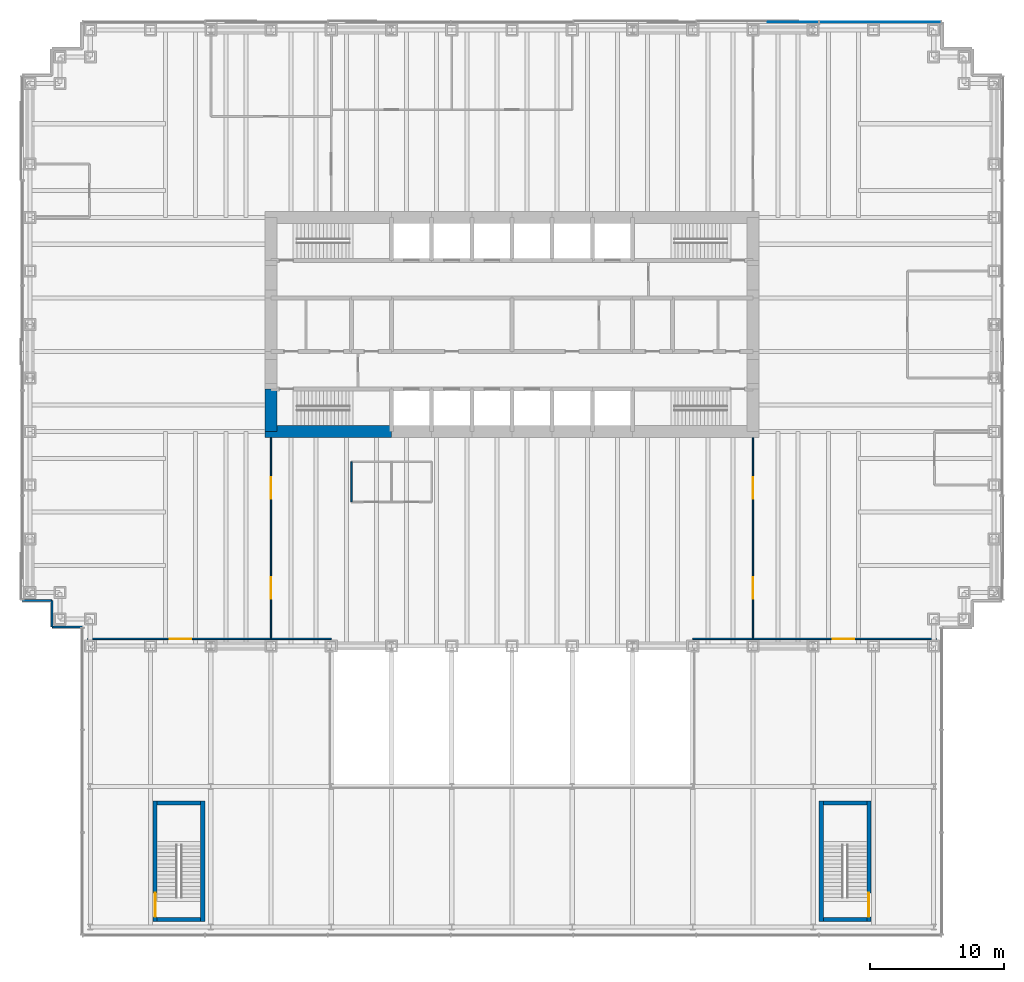
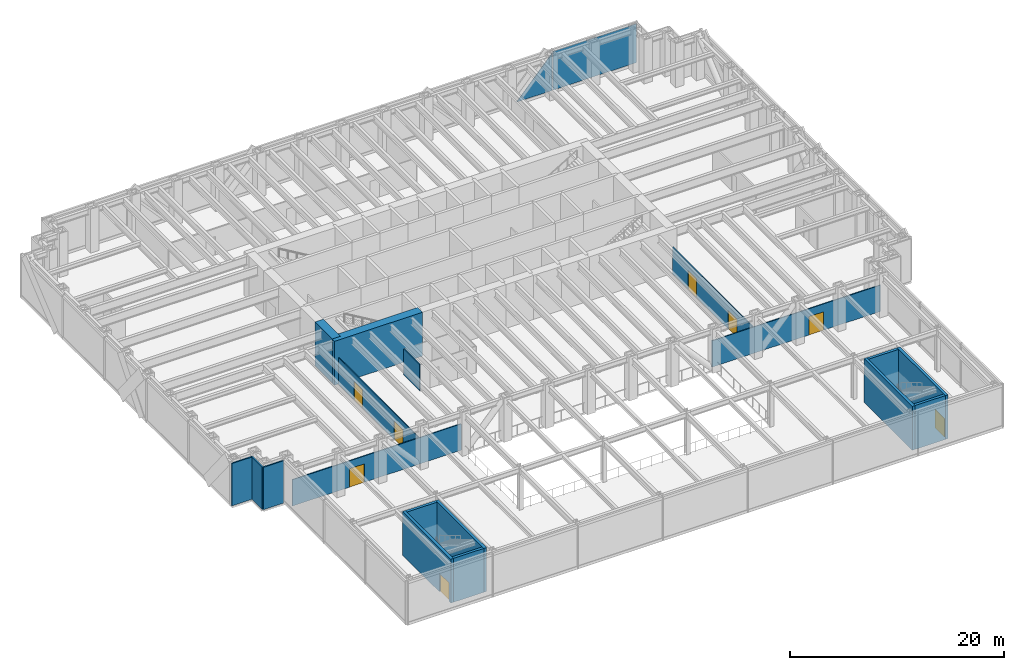
# One storey, part 12 of 17: 18 walls, 8 doors, 2 plates, 8 openings, 1 element without a shape of its own.
"""IFC4 building model written with IfcOpenShell, lengths in metres."""

from ifc_helpers import new_model, si_unit, direction, frame, frame_2d, origin, place, context, subcontext, project, spatial, polyline, rectangle, outline, extrude, material, layer, layer_set, type_object, element, fill, aggregate, save


model = new_model("IFC4")

# Units and contexts
model_context = context("Model", 3, precision=1e-05, world=origin(), true_north=direction((0.0, 1.0)))
body_context = subcontext(model_context, "Body", "Model", "MODEL_VIEW")
ifc_project = project(units=[si_unit("LENGTHUNIT", "METRE"), si_unit("AREAUNIT", "SQUARE_METRE"), si_unit("VOLUMEUNIT", "CUBIC_METRE"), si_unit("PLANEANGLEUNIT", "RADIAN"), si_unit("MASSUNIT", "GRAM", prefix="KILO")], contexts=[model_context])

# Site, building, storey
site_placement = place(None, origin())
site = spatial("IfcSite", under=ifc_project, at=site_placement, CompositionType="ELEMENT")
building_placement = place(site_placement, origin())
building = spatial("IfcBuilding", under=site, at=building_placement, Name="Rheinbord Bourse Tower", CompositionType="ELEMENT")
storey_placement = place(building_placement, frame((0.0, 0.0, 18.0)))
storey = spatial("IfcBuildingStorey", under=building, at=storey_placement, Name="L03", CompositionType="ELEMENT", Elevation=18.0)

# Curtain wall, plates
ifc_material_1 = material(Name="Dark glass and black aluminium", Category="aluminium")
curtain_wall_type = type_object("IfcCurtainWallType", Name="CW4 DARK GLASS CURTAIN WALL", PredefinedType="USERDEFINED", material=ifc_material_1)
curtain_wall_placement = place(storey_placement, origin())
curtain_wall = element("IfcCurtainWall", 1, at=curtain_wall_placement, inside=storey, type_object=curtain_wall_type, Name="Curtain wall CW4 N L03", ObjectType="UNITISED CURTAIN WALL", PredefinedType="USERDEFINED")
ifc_material_2 = material(Name="Dark tinted triple insulating glass", Category="glass")
ifc_layer_1 = layer(ifc_material_2, 0.068115234375)
ifc_layer_set_1 = layer_set([ifc_layer_1], Name="CW4 DARK GLASS PANEL")
plate_type = type_object("IfcPlateType", Name="CW4 DARK GLASS PANEL", PredefinedType="CURTAIN_PANEL", material=ifc_layer_set_1)
plate_1_placement = place(storey_placement, frame((58.97412109375, 46.63427734375, 0.300048828125), z_axis=(0.0, -1.0, 0.0), x_axis=(1.0, 0.0, 0.0)))
plate_1 = element("IfcPlate", 2, at=plate_1_placement, type_object=plate_type, Name="CW4 glass facet 1", PredefinedType="CURTAIN_PANEL", context=body_context, shape_type="SweptSolid", body=[
    extrude(outline(polyline([(0.0, 0.0), (9.035888671875, 0.0), (9.035888671875, 4.39990234375), (0.06982421875, 4.39990234375), (0.0, 4.322021484375), (0.0, 0.0)])), origin(), (0.0, 0.0, 1.0), 0.068115234375),
])
plate_2_placement = place(storey_placement, frame((58.884033203125, 46.63427734375, 0.300048828125), z_axis=(0.0, -1.0, 0.0), x_axis=(0.0, 0.0, 1.0)))
plate_2 = element("IfcPlate", 3, at=plate_2_placement, type_object=plate_type, Name="CW4 glass facet 1", PredefinedType="CURTAIN_PANEL", context=body_context, shape_type="SweptSolid", body=[
    extrude(outline(polyline([(0.0, 0.0), (4.221923828125, 0.0), (0.0, 3.800048828125), (0.0, 0.0)])), origin(), (0.0, 0.0, 1.0), 0.068115234375),
])
aggregate(curtain_wall, [plate_1, plate_2])

# Walls
ifc_material_3 = material(Name="Concrete C50/60", Category="concrete")
ifc_layer_2 = layer(ifc_material_3, 0.89990234375)
ifc_layer_set_2 = layer_set([ifc_layer_2], Name="CORE WALL 900")
wall_type_1 = type_object("IfcWallType", Name="CORE WALL 900", PredefinedType="SHEAR", material=ifc_layer_set_2)
wall_1_placement = place(storey_placement, frame((17.550048828125, 16.0, 0.0), z_axis=(0.0, 0.0, 1.0), x_axis=(1.0, 0.0, 0.0)))
element("IfcWall", 4, at=wall_1_placement, inside=storey, type_object=wall_type_1, Name="Core wall S1 L03", PredefinedType="SHEAR", context=body_context, shape_type="SweptSolid", body=[
    extrude(rectangle(XDim=9.449951171875, YDim=0.89990234375, at=frame_2d((4.72509765625, 0.0))), origin(), (0.0, 0.0, 1.0), 5.0),
])
wall_2_placement = place(storey_placement, frame((18.0, 19.199951171875, 0.0), z_axis=(0.0, 0.0, 1.0), x_axis=(0.0, -1.0, 0.0)))
element("IfcWall", 5, at=wall_2_placement, inside=storey, type_object=wall_type_1, Name="Core wall W5 L03", PredefinedType="SHEAR", context=body_context, shape_type="SweptSolid", body=[
    extrude(rectangle(XDim=3.199951171875, YDim=0.89990234375, at=frame_2d((1.60009765625, 0.0))), origin(), (0.0, 0.0, 1.0), 5.0),
])
ifc_material_4 = material(Name="Black metal rainscreen panel", Category="aluminium")
ifc_layer_3 = layer(ifc_material_4, 0.14990234375)
ifc_layer_set_3 = layer_set([ifc_layer_3], Name="CORNER PIER CLADDING 150")
wall_type_2 = type_object("IfcWallType", Name="CORNER PIER CLADDING 150", PredefinedType="ELEMENTEDWALL", material=ifc_layer_set_3)
wall_3_placement = place(storey_placement, frame((-0.60009765625, 3.39990234375, 0.0), z_axis=(0.0, 0.0, 1.0), x_axis=(1.0, 0.0, 0.0)))
element("IfcWall", 6, at=wall_3_placement, inside=storey, type_object=wall_type_2, Name="Corner pier cladding L03 17", PredefinedType="ELEMENTEDWALL", context=body_context, shape_type="SweptSolid", body=[
    extrude(rectangle(XDim=2.25, YDim=0.14990234375, at=frame_2d((1.125, 0.0))), origin(), (0.0, 0.0, 1.0), 4.820068359375),
])
wall_4_placement = place(storey_placement, frame((1.64990234375, 3.39990234375, 0.0), z_axis=(0.0, 0.0, 1.0), x_axis=(0.0, -1.0, 0.0)))
element("IfcWall", 7, at=wall_4_placement, inside=storey, type_object=wall_type_2, Name="Corner pier cladding L03 18", PredefinedType="ELEMENTEDWALL", context=body_context, shape_type="SweptSolid", body=[
    extrude(rectangle(XDim=2.0, YDim=0.14990234375, at=frame_2d((1.0, 0.0))), origin(), (0.0, 0.0, 1.0), 4.820068359375),
])
wall_5_placement = place(storey_placement, frame((1.64990234375, 1.39990234375, 0.0), z_axis=(0.0, 0.0, 1.0), x_axis=(1.0, 0.0, 0.0)))
element("IfcWall", 8, at=wall_5_placement, inside=storey, type_object=wall_type_2, Name="Corner pier cladding L03 19", PredefinedType="ELEMENTEDWALL", context=body_context, shape_type="SweptSolid", body=[
    extrude(rectangle(XDim=2.25, YDim=0.14990234375, at=frame_2d((1.125, 0.0))), origin(), (0.0, 0.0, 1.0), 4.820068359375),
])

# Wall, openings, doors
ifc_material_5 = material(Name="Toughened laminated glass partition", Category="glass")
ifc_layer_4 = layer(ifc_material_5, 0.10009765625)
ifc_layer_set_4 = layer_set([ifc_layer_4], Name="GLAZED PARTITION 100")
wall_type_3 = type_object("IfcWallType", Name="GLAZED PARTITION 100", PredefinedType="PARTITIONING", material=ifc_layer_set_4)
wall_6_placement = place(storey_placement, frame((18.0, 0.574951171875, 0.0), z_axis=(0.0, 0.0, 1.0), x_axis=(0.0, 1.0, 0.0)))
wall_6 = element("IfcWall", 9, at=wall_6_placement, inside=storey, type_object=wall_type_3, Name="Partition L03-13", PredefinedType="PARTITIONING", context=body_context, shape_type="SweptSolid", body=[
    extrude(rectangle(XDim=14.97509765625, YDim=0.10009765625, at=frame_2d((7.487548828125, 0.0))), origin(), (0.0, 0.0, 1.0), 3.0),
])
opening_1_placement = place(wall_6_placement, frame((2.944091796875, 0.0, 0.0)))
opening_1 = element("IfcOpeningElement", 10, at=opening_1_placement, cuts=wall_6, Name="Opening 03D09", PredefinedType="OPENING", context=body_context, shape_type="SweptSolid", body=[
    extrude(rectangle(XDim=1.60009765625, YDim=2.10009765625, at=frame_2d((0.800048828125, 1.050048828125))), frame((0.0, 0.06005859375, 0.0), z_axis=(0.0, -1.0, 0.0), x_axis=(1.0, 0.0, 0.0)), (0.0, 0.0, 1.0), 0.1201171875),
])
opening_2_placement = place(wall_6_placement, frame((10.430908203125, 0.0, 0.0)))
opening_2 = element("IfcOpeningElement", 11, at=opening_2_placement, cuts=wall_6, Name="Opening 03D10", PredefinedType="OPENING", context=body_context, shape_type="SweptSolid", body=[
    extrude(rectangle(XDim=1.60009765625, YDim=2.10009765625, at=frame_2d((0.800048828125, 1.050048828125))), frame((0.0, 0.06005859375, 0.0), z_axis=(0.0, -1.0, 0.0), x_axis=(1.0, 0.0, 0.0)), (0.0, 0.0, 1.0), 0.1201171875),
])
ifc_material_6 = material(Name="Timber door", Category="wood")
door_type_1 = type_object("IfcDoorType", Name="DOUBLE ROOM DOOR 1600", OperationType="DOUBLE_DOOR_DOUBLE_SWING", PredefinedType="DOOR", material=ifc_material_6)
door_1_placement = place(opening_1_placement, origin())
door_1 = element("IfcDoor", 12, at=door_1_placement, inside=storey, type_object=door_type_1, Name="Open area door L03", OperationType="SINGLE_SWING_LEFT", OverallHeight=2.10009765625, OverallWidth=1.60009765625, PredefinedType="DOOR", context=body_context, shape_type="SweptSolid", body=[
    extrude(rectangle(XDim=1.60009765625, YDim=2.10009765625, at=frame_2d((0.800048828125, 1.050048828125))), frame((0.0, 0.02490234375, 0.0), z_axis=(0.0, -1.0, 0.0), x_axis=(1.0, 0.0, 0.0)), (0.0, 0.0, 1.0), 0.050048828125),
])
fill(opening_1, door_1)
door_2_placement = place(opening_2_placement, origin())
door_2 = element("IfcDoor", 13, at=door_2_placement, inside=storey, type_object=door_type_1, Name="Open area door L03", OperationType="SINGLE_SWING_LEFT", OverallHeight=2.10009765625, OverallWidth=1.60009765625, PredefinedType="DOOR", context=body_context, shape_type="SweptSolid", body=[
    extrude(rectangle(XDim=1.60009765625, YDim=2.10009765625, at=frame_2d((0.800048828125, 1.050048828125))), frame((0.0, 0.02490234375, 0.0), z_axis=(0.0, -1.0, 0.0), x_axis=(1.0, 0.0, 0.0)), (0.0, 0.0, 1.0), 0.050048828125),
])
fill(opening_2, door_2)

# Wall
wall_7_placement = place(storey_placement, frame((24.0, 10.75, 0.0), z_axis=(0.0, 0.0, 1.0), x_axis=(0.0, 1.0, 0.0)))
element("IfcWall", 14, at=wall_7_placement, inside=storey, type_object=wall_type_3, Name="Partition L03-16", PredefinedType="PARTITIONING", context=body_context, shape_type="SweptSolid", body=[
    extrude(rectangle(XDim=3.0, YDim=0.10009765625, at=frame_2d((1.5, 0.0))), origin(), (0.0, 0.0, 1.0), 3.0),
])

# Wall, openings, doors
wall_8_placement = place(storey_placement, frame((54.0, 0.574951171875, 0.0), z_axis=(0.0, 0.0, 1.0), x_axis=(0.0, 1.0, 0.0)))
wall_8 = element("IfcWall", 15, at=wall_8_placement, inside=storey, type_object=wall_type_3, Name="Partition L03-21", PredefinedType="PARTITIONING", context=body_context, shape_type="SweptSolid", body=[
    extrude(rectangle(XDim=14.97509765625, YDim=0.10009765625, at=frame_2d((7.487548828125, 0.0))), origin(), (0.0, 0.0, 1.0), 3.0),
])
opening_3_placement = place(wall_8_placement, frame((2.944091796875, 0.0, 0.0)))
opening_3 = element("IfcOpeningElement", 16, at=opening_3_placement, cuts=wall_8, Name="Opening 03D12", PredefinedType="OPENING", context=body_context, shape_type="SweptSolid", body=[
    extrude(rectangle(XDim=1.60009765625, YDim=2.10009765625, at=frame_2d((0.800048828125, 1.050048828125))), frame((0.0, 0.06005859375, 0.0), z_axis=(0.0, -1.0, 0.0), x_axis=(1.0, 0.0, 0.0)), (0.0, 0.0, 1.0), 0.1201171875),
])
opening_4_placement = place(wall_8_placement, frame((10.430908203125, 0.0, 0.0)))
opening_4 = element("IfcOpeningElement", 17, at=opening_4_placement, cuts=wall_8, Name="Opening 03D13", PredefinedType="OPENING", context=body_context, shape_type="SweptSolid", body=[
    extrude(rectangle(XDim=1.60009765625, YDim=2.10009765625, at=frame_2d((0.800048828125, 1.050048828125))), frame((0.0, 0.06005859375, 0.0), z_axis=(0.0, -1.0, 0.0), x_axis=(1.0, 0.0, 0.0)), (0.0, 0.0, 1.0), 0.1201171875),
])
door_3_placement = place(opening_3_placement, origin())
door_3 = element("IfcDoor", 18, at=door_3_placement, inside=storey, type_object=door_type_1, Name="Open area door L03", OperationType="SINGLE_SWING_LEFT", OverallHeight=2.10009765625, OverallWidth=1.60009765625, PredefinedType="DOOR", context=body_context, shape_type="SweptSolid", body=[
    extrude(rectangle(XDim=1.60009765625, YDim=2.10009765625, at=frame_2d((0.800048828125, 1.050048828125))), frame((0.0, 0.02490234375, 0.0), z_axis=(0.0, -1.0, 0.0), x_axis=(1.0, 0.0, 0.0)), (0.0, 0.0, 1.0), 0.050048828125),
])
fill(opening_3, door_3)
door_4_placement = place(opening_4_placement, origin())
door_4 = element("IfcDoor", 19, at=door_4_placement, inside=storey, type_object=door_type_1, Name="Open area door L03", OperationType="SINGLE_SWING_LEFT", OverallHeight=2.10009765625, OverallWidth=1.60009765625, PredefinedType="DOOR", context=body_context, shape_type="SweptSolid", body=[
    extrude(rectangle(XDim=1.60009765625, YDim=2.10009765625, at=frame_2d((0.800048828125, 1.050048828125))), frame((0.0, 0.02490234375, 0.0), z_axis=(0.0, -1.0, 0.0), x_axis=(1.0, 0.0, 0.0)), (0.0, 0.0, 1.0), 0.050048828125),
])
fill(opening_4, door_4)

# Wall, opening, door
wall_9_placement = place(storey_placement, frame((4.300048828125, 0.52490234375, 0.0), z_axis=(0.0, 0.0, 1.0), x_axis=(1.0, 0.0, 0.0)))
wall_9 = element("IfcWall", 20, at=wall_9_placement, inside=storey, type_object=wall_type_3, Name="Podium screen L03-1", PredefinedType="PARTITIONING", context=body_context, shape_type="SweptSolid", body=[
    extrude(rectangle(XDim=18.199951171875, YDim=0.10009765625, at=frame_2d((9.10009765625, 0.0))), origin(), (0.0, 0.0, 1.0), 3.0),
])
opening_5_placement = place(wall_9_placement, frame((6.14990234375, 0.0, 0.0)))
opening_5 = element("IfcOpeningElement", 21, at=opening_5_placement, cuts=wall_9, Name="Opening 03D16", PredefinedType="OPENING", context=body_context, shape_type="SweptSolid", body=[
    extrude(rectangle(XDim=1.60009765625, YDim=2.10009765625, at=frame_2d((0.800048828125, 1.050048828125))), frame((0.0, 0.06005859375, 0.0), z_axis=(0.0, -1.0, 0.0), x_axis=(1.0, 0.0, 0.0)), (0.0, 0.0, 1.0), 0.1201171875),
])
door_5_placement = place(opening_5_placement, origin())
door_5 = element("IfcDoor", 22, at=door_5_placement, inside=storey, type_object=door_type_1, Name="Podium screen door L03", OperationType="SINGLE_SWING_LEFT", OverallHeight=2.10009765625, OverallWidth=1.60009765625, PredefinedType="DOOR", context=body_context, shape_type="SweptSolid", body=[
    extrude(rectangle(XDim=1.60009765625, YDim=2.10009765625, at=frame_2d((0.800048828125, 1.050048828125))), frame((0.0, 0.02490234375, 0.0), z_axis=(0.0, -1.0, 0.0), x_axis=(1.0, 0.0, 0.0)), (0.0, 0.0, 1.0), 0.050048828125),
])
fill(opening_5, door_5)

wall_10_placement = place(storey_placement, frame((49.5, 0.52490234375, 0.0), z_axis=(0.0, 0.0, 1.0), x_axis=(1.0, 0.0, 0.0)))
wall_10 = element("IfcWall", 23, at=wall_10_placement, inside=storey, type_object=wall_type_3, Name="Podium screen L03-2", PredefinedType="PARTITIONING", context=body_context, shape_type="SweptSolid", body=[
    extrude(rectangle(XDim=18.199951171875, YDim=0.10009765625, at=frame_2d((9.10009765625, 0.0))), origin(), (0.0, 0.0, 1.0), 3.0),
])
opening_6_placement = place(wall_10_placement, frame((10.449951171875, 0.0, 0.0)))
opening_6 = element("IfcOpeningElement", 24, at=opening_6_placement, cuts=wall_10, Name="Opening 03D17", PredefinedType="OPENING", context=body_context, shape_type="SweptSolid", body=[
    extrude(rectangle(XDim=1.60009765625, YDim=2.10009765625, at=frame_2d((0.800048828125, 1.050048828125))), frame((0.0, 0.06005859375, 0.0), z_axis=(0.0, -1.0, 0.0), x_axis=(1.0, 0.0, 0.0)), (0.0, 0.0, 1.0), 0.1201171875),
])
door_6_placement = place(opening_6_placement, origin())
door_6 = element("IfcDoor", 25, at=door_6_placement, inside=storey, type_object=door_type_1, Name="Podium screen door L03", OperationType="SINGLE_SWING_LEFT", OverallHeight=2.10009765625, OverallWidth=1.60009765625, PredefinedType="DOOR", context=body_context, shape_type="SweptSolid", body=[
    extrude(rectangle(XDim=1.60009765625, YDim=2.10009765625, at=frame_2d((0.800048828125, 1.050048828125))), frame((0.0, 0.02490234375, 0.0), z_axis=(0.0, -1.0, 0.0), x_axis=(1.0, 0.0, 0.0)), (0.0, 0.0, 1.0), 0.050048828125),
])
fill(opening_6, door_6)

ifc_material_7 = material(Name="Concrete C50/60", Category="concrete")
ifc_layer_5 = layer(ifc_material_7, 0.300048828125)
ifc_layer_set_5 = layer_set([ifc_layer_5], Name="PODIUM STAIR WALL 300")
wall_type_4 = type_object("IfcWallType", Name="PODIUM STAIR WALL 300", PredefinedType="SOLIDWALL", material=ifc_layer_set_5)
wall_11_placement = place(storey_placement, frame((9.35009765625, -20.60009765625, 0.0), z_axis=(0.0, 0.0, 1.0), x_axis=(0.0, 1.0, 0.0)))
wall_11 = element("IfcWall", 26, at=wall_11_placement, inside=storey, type_object=wall_type_4, Name="Stair wall ST5 W L03", PredefinedType="SOLIDWALL", context=body_context, shape_type="SweptSolid", body=[
    extrude(rectangle(XDim=9.0, YDim=0.300048828125, at=frame_2d((4.5, 0.0))), origin(), (0.0, 0.0, 1.0), 5.0),
])
opening_7_placement = place(wall_11_placement, frame((0.35009765625, 0.0, 0.0)))
opening_7 = element("IfcOpeningElement", 27, at=opening_7_placement, cuts=wall_11, Name="Opening 0351", PredefinedType="OPENING", context=body_context, shape_type="SweptSolid", body=[
    extrude(rectangle(XDim=1.800048828125, YDim=2.10009765625, at=frame_2d((0.89990234375, 1.050048828125))), frame((0.0, 0.159912109375, 0.0), z_axis=(0.0, -1.0, 0.0), x_axis=(1.0, 0.0, 0.0)), (0.0, 0.0, 1.0), 0.320068359375),
])
ifc_material_8 = material(Name="Steel door", Category="steel")
door_type_2 = type_object("IfcDoorType", Name="DOOR 1800 EI30 DOUBLE", OperationType="DOUBLE_DOOR_DOUBLE_SWING", PredefinedType="DOOR", material=ifc_material_8)
door_7_placement = place(opening_7_placement, origin())
door_7 = element("IfcDoor", 28, at=door_7_placement, inside=storey, type_object=door_type_2, Name="Stair door ST5 L03", OperationType="SINGLE_SWING_LEFT", OverallHeight=2.10009765625, OverallWidth=1.800048828125, PredefinedType="DOOR", context=body_context, shape_type="SweptSolid", body=[
    extrude(rectangle(XDim=1.800048828125, YDim=2.10009765625, at=frame_2d((0.89990234375, 1.050048828125))), frame((0.0, 0.02490234375, 0.0), z_axis=(0.0, -1.0, 0.0), x_axis=(1.0, 0.0, 0.0)), (0.0, 0.0, 1.0), 0.050048828125),
])
fill(opening_7, door_7)

# Walls
wall_12_placement = place(storey_placement, frame((12.89990234375, -20.60009765625, 0.0), z_axis=(0.0, 0.0, 1.0), x_axis=(0.0, 1.0, 0.0)))
element("IfcWall", 29, at=wall_12_placement, inside=storey, type_object=wall_type_4, Name="Stair wall ST5 E L03", PredefinedType="SOLIDWALL", context=body_context, shape_type="SweptSolid", body=[
    extrude(rectangle(XDim=9.0, YDim=0.300048828125, at=frame_2d((4.5, 0.0))), origin(), (0.0, 0.0, 1.0), 5.0),
])
for number, where, z_axis, x_axis, name in (
    (30, (9.5, -20.449951171875, 0.0), (0.0, 0.0, 1.0), (1.0, 0.0, 0.0), "Stair wall ST5 S L03"),
    (31, (9.5, -11.75, 0.0), (0.0, 0.0, 1.0), (1.0, 0.0, 0.0), "Stair wall ST5 N L03"),
):
    element("IfcWall", number, at=place(storey_placement, frame(where, z_axis=z_axis, x_axis=x_axis)), inside=storey, type_object=wall_type_4, Name=name, PredefinedType="SOLIDWALL", context=body_context, shape_type="SweptSolid", body=[
        extrude(rectangle(XDim=3.25, YDim=0.300048828125, at=frame_2d((1.625, 0.0))), origin(), (0.0, 0.0, 1.0), 5.0),
    ])
wall_13_placement = place(storey_placement, frame((59.10009765625, -20.60009765625, 0.0), z_axis=(0.0, 0.0, 1.0), x_axis=(0.0, 1.0, 0.0)))
element("IfcWall", 32, at=wall_13_placement, inside=storey, type_object=wall_type_4, Name="Stair wall ST6 W L03", PredefinedType="SOLIDWALL", context=body_context, shape_type="SweptSolid", body=[
    extrude(rectangle(XDim=9.0, YDim=0.300048828125, at=frame_2d((4.5, 0.0))), origin(), (0.0, 0.0, 1.0), 5.0),
])

# Wall, opening, door
wall_14_placement = place(storey_placement, frame((62.64990234375, -20.60009765625, 0.0), z_axis=(0.0, 0.0, 1.0), x_axis=(0.0, 1.0, 0.0)))
wall_14 = element("IfcWall", 33, at=wall_14_placement, inside=storey, type_object=wall_type_4, Name="Stair wall ST6 E L03", PredefinedType="SOLIDWALL", context=body_context, shape_type="SweptSolid", body=[
    extrude(rectangle(XDim=9.0, YDim=0.300048828125, at=frame_2d((4.5, 0.0))), origin(), (0.0, 0.0, 1.0), 5.0),
])
opening_8_placement = place(wall_14_placement, frame((0.35009765625, 0.0, 0.0)))
opening_8 = element("IfcOpeningElement", 34, at=opening_8_placement, cuts=wall_14, Name="Opening 0361", PredefinedType="OPENING", context=body_context, shape_type="SweptSolid", body=[
    extrude(rectangle(XDim=1.800048828125, YDim=2.10009765625, at=frame_2d((0.89990234375, 1.050048828125))), frame((0.0, 0.159912109375, 0.0), z_axis=(0.0, -1.0, 0.0), x_axis=(1.0, 0.0, 0.0)), (0.0, 0.0, 1.0), 0.320068359375),
])
door_8_placement = place(opening_8_placement, origin())
door_8 = element("IfcDoor", 35, at=door_8_placement, inside=storey, type_object=door_type_2, Name="Stair door ST6 L03", OperationType="SINGLE_SWING_LEFT", OverallHeight=2.10009765625, OverallWidth=1.800048828125, PredefinedType="DOOR", context=body_context, shape_type="SweptSolid", body=[
    extrude(rectangle(XDim=1.800048828125, YDim=2.10009765625, at=frame_2d((0.89990234375, 1.050048828125))), frame((0.0, 0.02490234375, 0.0), z_axis=(0.0, -1.0, 0.0), x_axis=(1.0, 0.0, 0.0)), (0.0, 0.0, 1.0), 0.050048828125),
])
fill(opening_8, door_8)

# Walls
for number, where, z_axis, x_axis, name in (
    (36, (59.25, -20.449951171875, 0.0), (0.0, 0.0, 1.0), (1.0, 0.0, 0.0), "Stair wall ST6 S L03"),
    (37, (59.25, -11.75, 0.0), (0.0, 0.0, 1.0), (1.0, 0.0, 0.0), "Stair wall ST6 N L03"),
):
    element("IfcWall", number, at=place(storey_placement, frame(where, z_axis=z_axis, x_axis=x_axis)), inside=storey, type_object=wall_type_4, Name=name, PredefinedType="SOLIDWALL", context=body_context, shape_type="SweptSolid", body=[
        extrude(rectangle(XDim=3.25, YDim=0.300048828125, at=frame_2d((1.625, 0.0))), origin(), (0.0, 0.0, 1.0), 5.0),
    ])

save(model, "model.ifc")
